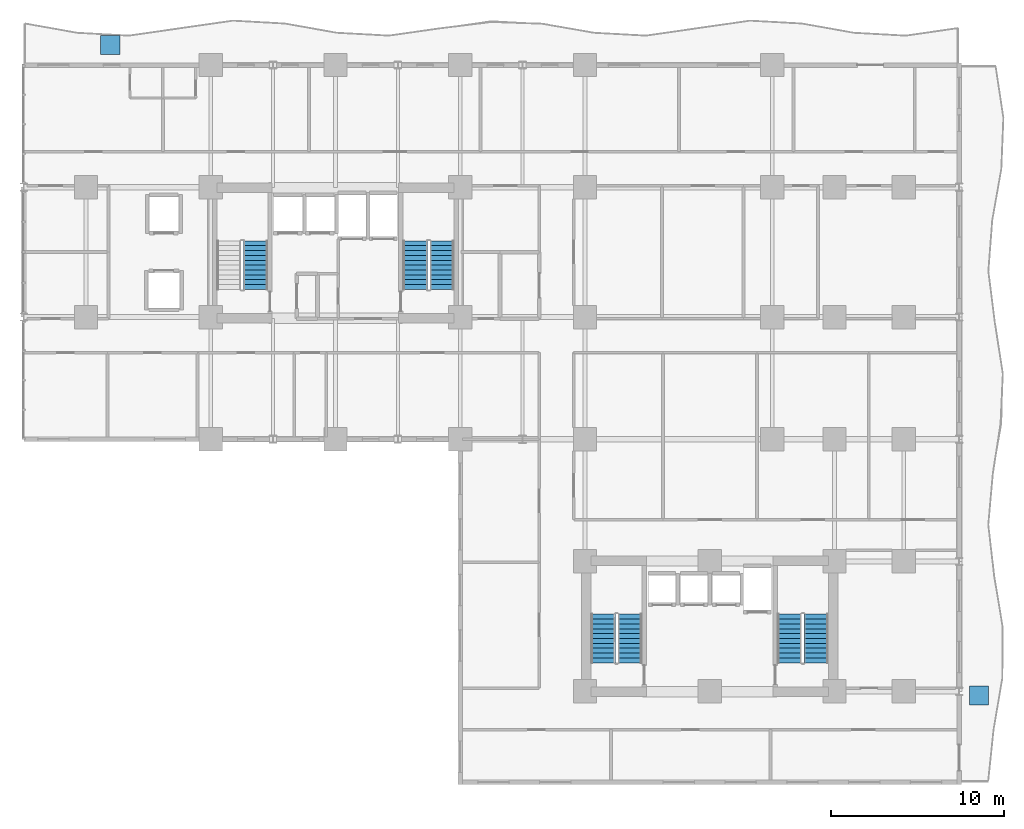
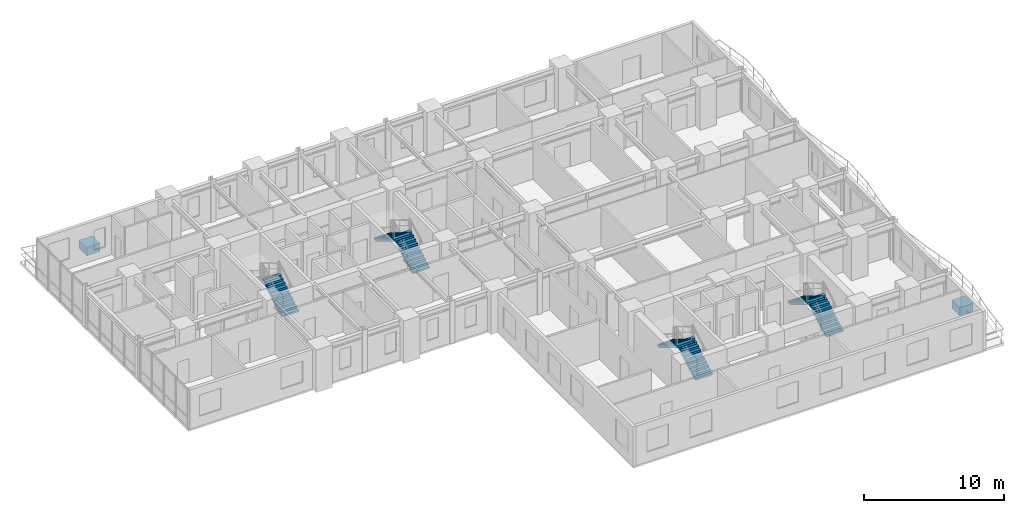
# One storey, part 16 of 19: 7 stair flights, 2 discrete accessories, 4 elements without a shape of their own.
"""IFC4 building model written with IfcOpenShell, lengths in metres."""

from ifc_helpers import new_model, si_unit, direction, frame, origin, origin_2d, place, context, subcontext, project, spatial, polyline, rectangle, outline, extrude, source, transform, mapped, material, type_object, element, aggregate, save


model = new_model("IFC4")

# Units and contexts
model_context = context("Model", 3, precision=1e-05, world=origin(), true_north=direction((0.0, 1.0)))
body_context = subcontext(model_context, "Body", "Model", "MODEL_VIEW")
ifc_project = project(units=[si_unit("LENGTHUNIT", "METRE"), si_unit("AREAUNIT", "SQUARE_METRE"), si_unit("VOLUMEUNIT", "CUBIC_METRE"), si_unit("PLANEANGLEUNIT", "RADIAN"), si_unit("MASSUNIT", "GRAM", prefix="KILO")], contexts=[model_context])

# Site, building, storey
site_placement = place(None, origin())
site = spatial("IfcSite", under=ifc_project, at=site_placement, CompositionType="ELEMENT")
building_placement = place(site_placement, origin())
building = spatial("IfcBuilding", under=site, at=building_placement, Name="Kaliganga Portal Commons", CompositionType="ELEMENT")
storey_placement = place(building_placement, frame((0.0, 0.0, 47.5)))
storey = spatial("IfcBuildingStorey", under=building, at=storey_placement, Name="L11", CompositionType="ELEMENT", Elevation=47.5)

# Stair, stair flight
ifc_material_1 = material(Name="Concrete C40/50", Category="concrete")
stair_type = type_object("IfcStairType", Name="ST-CORE-DOGLEG", PredefinedType="HALF_TURN_STAIR", material=ifc_material_1)
stair_1_placement = place(storey_placement, origin())
stair_1 = element("IfcStair", 1, at=stair_1_placement, inside=storey, type_object=stair_type, Name="L11 Protected Exit Stair ST-A1", PredefinedType="HALF_TURN_STAIR")
stair_flight_type = type_object("IfcStairFlightType", Name="STF-RC-1400", PredefinedType="STRAIGHT", material=ifc_material_1)
stair_flight_1_placement = place(storey_placement, frame((17.0, 30.25, 0.0), z_axis=(0.0, 0.0, 1.0), x_axis=(0.0, 1.0, 0.0)))
stair_flight_1 = element("IfcStairFlight", 2, at=stair_flight_1_placement, type_object=stair_flight_type, Name="ST-A1 flight 1", NumberOfRisers=11, NumberOfTreads=10, PredefinedType="STRAIGHT", RiserHeight=0.168181818, TreadLength=0.28, context=body_context, shape_type="SweptSolid", body=[
    extrude(outline(polyline([(0.0, 0.0), (0.0, 0.168212890625), (0.280029296875, 0.168212890625), (0.280029296875, 0.33642578125), (0.56005859375, 0.33642578125), (0.56005859375, 0.504638671875), (0.840087890625, 0.504638671875), (0.840087890625, 0.672607421875), (1.1201171875, 0.672607421875), (1.1201171875, 0.8408203125), (1.39990234375, 0.8408203125), (1.39990234375, 1.009033203125), (1.679931640625, 1.009033203125), (1.679931640625, 1.17724609375), (1.9599609375, 1.17724609375), (1.9599609375, 1.345458984375), (2.239990234375, 1.345458984375), (2.239990234375, 1.513671875), (2.52001953125, 1.513671875), (2.52001953125, 1.681884765625), (2.800048828125, 1.681884765625), (2.800048828125, 1.85009765625), (2.800048828125, 1.5068359375), (0.291015625, 0.0), (0.0, 0.0)])), frame((0.0, 0.699951171875, 0.0), z_axis=(0.0, -1.0, 0.0), x_axis=(1.0, 0.0, 0.0)), (0.0, 0.0, 1.0), 1.39990234375),
])
aggregate(stair_1, [stair_flight_1])

# Stair, stair flights
stair_2_placement = place(storey_placement, origin())
stair_2 = element("IfcStair", 3, at=stair_2_placement, inside=storey, type_object=stair_type, Name="L11 Protected Exit Stair ST-A2", PredefinedType="HALF_TURN_STAIR")
stair_flight_2_placement = place(storey_placement, frame((27.75, 30.25, 0.0), z_axis=(0.0, 0.0, 1.0), x_axis=(0.0, 1.0, 0.0)))
stair_flight_2 = element("IfcStairFlight", 4, at=stair_flight_2_placement, type_object=stair_flight_type, Name="ST-A2 flight 1", NumberOfRisers=11, NumberOfTreads=10, PredefinedType="STRAIGHT", RiserHeight=0.168181818, TreadLength=0.28, context=body_context, shape_type="SweptSolid", body=[
    extrude(outline(polyline([(0.0, 0.0), (0.0, 0.168212890625), (0.280029296875, 0.168212890625), (0.280029296875, 0.33642578125), (0.56005859375, 0.33642578125), (0.56005859375, 0.504638671875), (0.840087890625, 0.504638671875), (0.840087890625, 0.672607421875), (1.1201171875, 0.672607421875), (1.1201171875, 0.8408203125), (1.39990234375, 0.8408203125), (1.39990234375, 1.009033203125), (1.679931640625, 1.009033203125), (1.679931640625, 1.17724609375), (1.9599609375, 1.17724609375), (1.9599609375, 1.345458984375), (2.239990234375, 1.345458984375), (2.239990234375, 1.513671875), (2.52001953125, 1.513671875), (2.52001953125, 1.681884765625), (2.800048828125, 1.681884765625), (2.800048828125, 1.85009765625), (2.800048828125, 1.5068359375), (0.291015625, 0.0), (0.0, 0.0)])), frame((0.0, 0.699951171875, 0.0), z_axis=(0.0, -1.0, 0.0), x_axis=(1.0, 0.0, 0.0)), (0.0, 0.0, 1.0), 1.39990234375),
])
stair_flight_3_placement = place(storey_placement, frame((26.199951171875, 33.050048828125, 1.85009765625), z_axis=(0.0, 0.0, 1.0), x_axis=(0.0, -1.0, 0.0)))
stair_flight_3 = element("IfcStairFlight", 5, at=stair_flight_3_placement, type_object=stair_flight_type, Name="ST-A2 flight 2", NumberOfRisers=11, NumberOfTreads=10, PredefinedType="STRAIGHT", RiserHeight=0.168181818, TreadLength=0.28, context=body_context, shape_type="SweptSolid", body=[
    extrude(outline(polyline([(0.0, 0.0), (0.0, 0.168212890625), (0.280029296875, 0.168212890625), (0.280029296875, 0.33642578125), (0.56005859375, 0.33642578125), (0.56005859375, 0.504638671875), (0.840087890625, 0.504638671875), (0.840087890625, 0.672607421875), (1.1201171875, 0.672607421875), (1.1201171875, 0.8408203125), (1.39990234375, 0.8408203125), (1.39990234375, 1.009033203125), (1.679931640625, 1.009033203125), (1.679931640625, 1.17724609375), (1.9599609375, 1.17724609375), (1.9599609375, 1.345458984375), (2.239990234375, 1.345458984375), (2.239990234375, 1.513671875), (2.52001953125, 1.513671875), (2.52001953125, 1.681884765625), (2.800048828125, 1.681884765625), (2.800048828125, 1.85009765625), (2.800048828125, 1.5068359375), (0.291015625, 0.0), (0.0, 0.0)])), frame((0.0, 0.699951171875, 0.0), z_axis=(0.0, -1.0, 0.0), x_axis=(1.0, 0.0, 0.0)), (0.0, 0.0, 1.0), 1.39990234375),
])
aggregate(stair_2, [stair_flight_2, stair_flight_3])

stair_3_placement = place(storey_placement, origin())
stair_3 = element("IfcStair", 6, at=stair_3_placement, inside=storey, type_object=stair_type, Name="L11 Protected Exit Stair ST-B1", PredefinedType="HALF_TURN_STAIR")
stair_flight_4_placement = place(storey_placement, frame((38.60009765625, 8.699951171875, 0.0), z_axis=(0.0, 0.0, 1.0), x_axis=(0.0, 1.0, 0.0)))
stair_flight_4 = element("IfcStairFlight", 7, at=stair_flight_4_placement, type_object=stair_flight_type, Name="ST-B1 flight 1", NumberOfRisers=11, NumberOfTreads=10, PredefinedType="STRAIGHT", RiserHeight=0.168181818, TreadLength=0.28, context=body_context, shape_type="SweptSolid", body=[
    extrude(outline(polyline([(0.0, 0.0), (0.0, 0.168212890625), (0.280029296875, 0.168212890625), (0.280029296875, 0.33642578125), (0.56005859375, 0.33642578125), (0.56005859375, 0.504638671875), (0.840087890625, 0.504638671875), (0.840087890625, 0.672607421875), (1.1201171875, 0.672607421875), (1.1201171875, 0.8408203125), (1.39990234375, 0.8408203125), (1.39990234375, 1.009033203125), (1.679931640625, 1.009033203125), (1.679931640625, 1.17724609375), (1.9599609375, 1.17724609375), (1.9599609375, 1.345458984375), (2.239990234375, 1.345458984375), (2.239990234375, 1.513671875), (2.52001953125, 1.513671875), (2.52001953125, 1.681884765625), (2.800048828125, 1.681884765625), (2.800048828125, 1.85009765625), (2.800048828125, 1.5068359375), (0.291015625, 0.0), (0.0, 0.0)])), frame((0.0, 0.699951171875, 0.0), z_axis=(0.0, -1.0, 0.0), x_axis=(1.0, 0.0, 0.0)), (0.0, 0.0, 1.0), 1.39990234375),
])
stair_flight_5_placement = place(storey_placement, frame((37.050048828125, 11.5, 1.85009765625), z_axis=(0.0, 0.0, 1.0), x_axis=(0.0, -1.0, 0.0)))
stair_flight_5 = element("IfcStairFlight", 8, at=stair_flight_5_placement, type_object=stair_flight_type, Name="ST-B1 flight 2", NumberOfRisers=11, NumberOfTreads=10, PredefinedType="STRAIGHT", RiserHeight=0.168181818, TreadLength=0.28, context=body_context, shape_type="SweptSolid", body=[
    extrude(outline(polyline([(0.0, 0.0), (0.0, 0.168212890625), (0.280029296875, 0.168212890625), (0.280029296875, 0.33642578125), (0.56005859375, 0.33642578125), (0.56005859375, 0.504638671875), (0.840087890625, 0.504638671875), (0.840087890625, 0.672607421875), (1.1201171875, 0.672607421875), (1.1201171875, 0.8408203125), (1.39990234375, 0.8408203125), (1.39990234375, 1.009033203125), (1.679931640625, 1.009033203125), (1.679931640625, 1.17724609375), (1.9599609375, 1.17724609375), (1.9599609375, 1.345458984375), (2.239990234375, 1.345458984375), (2.239990234375, 1.513671875), (2.52001953125, 1.513671875), (2.52001953125, 1.681884765625), (2.800048828125, 1.681884765625), (2.800048828125, 1.85009765625), (2.800048828125, 1.5068359375), (0.291015625, 0.0), (0.0, 0.0)])), frame((0.0, 0.699951171875, 0.0), z_axis=(0.0, -1.0, 0.0), x_axis=(1.0, 0.0, 0.0)), (0.0, 0.0, 1.0), 1.39990234375),
])
aggregate(stair_3, [stair_flight_4, stair_flight_5])

stair_4_placement = place(storey_placement, origin())
stair_4 = element("IfcStair", 9, at=stair_4_placement, inside=storey, type_object=stair_type, Name="L11 Protected Exit Stair ST-B2", PredefinedType="HALF_TURN_STAIR")
stair_flight_6_placement = place(storey_placement, frame((49.35009765625, 8.699951171875, 0.0), z_axis=(0.0, 0.0, 1.0), x_axis=(0.0, 1.0, 0.0)))
stair_flight_6 = element("IfcStairFlight", 10, at=stair_flight_6_placement, type_object=stair_flight_type, Name="ST-B2 flight 1", NumberOfRisers=11, NumberOfTreads=10, PredefinedType="STRAIGHT", RiserHeight=0.168181818, TreadLength=0.28, context=body_context, shape_type="SweptSolid", body=[
    extrude(outline(polyline([(0.0, 0.0), (0.0, 0.168212890625), (0.280029296875, 0.168212890625), (0.280029296875, 0.33642578125), (0.56005859375, 0.33642578125), (0.56005859375, 0.504638671875), (0.840087890625, 0.504638671875), (0.840087890625, 0.672607421875), (1.1201171875, 0.672607421875), (1.1201171875, 0.8408203125), (1.39990234375, 0.8408203125), (1.39990234375, 1.009033203125), (1.679931640625, 1.009033203125), (1.679931640625, 1.17724609375), (1.9599609375, 1.17724609375), (1.9599609375, 1.345458984375), (2.239990234375, 1.345458984375), (2.239990234375, 1.513671875), (2.52001953125, 1.513671875), (2.52001953125, 1.681884765625), (2.800048828125, 1.681884765625), (2.800048828125, 1.85009765625), (2.800048828125, 1.5068359375), (0.291015625, 0.0), (0.0, 0.0)])), frame((0.0, 0.699951171875, 0.0), z_axis=(0.0, -1.0, 0.0), x_axis=(1.0, 0.0, 0.0)), (0.0, 0.0, 1.0), 1.39990234375),
])
stair_flight_7_placement = place(storey_placement, frame((47.800048828125, 11.5, 1.85009765625), z_axis=(0.0, 0.0, 1.0), x_axis=(0.0, -1.0, 0.0)))
stair_flight_7 = element("IfcStairFlight", 11, at=stair_flight_7_placement, type_object=stair_flight_type, Name="ST-B2 flight 2", NumberOfRisers=11, NumberOfTreads=10, PredefinedType="STRAIGHT", RiserHeight=0.168181818, TreadLength=0.28, context=body_context, shape_type="SweptSolid", body=[
    extrude(outline(polyline([(0.0, 0.0), (0.0, 0.168212890625), (0.280029296875, 0.168212890625), (0.280029296875, 0.33642578125), (0.56005859375, 0.33642578125), (0.56005859375, 0.504638671875), (0.840087890625, 0.504638671875), (0.840087890625, 0.672607421875), (1.1201171875, 0.672607421875), (1.1201171875, 0.8408203125), (1.39990234375, 0.8408203125), (1.39990234375, 1.009033203125), (1.679931640625, 1.009033203125), (1.679931640625, 1.17724609375), (1.9599609375, 1.17724609375), (1.9599609375, 1.345458984375), (2.239990234375, 1.345458984375), (2.239990234375, 1.513671875), (2.52001953125, 1.513671875), (2.52001953125, 1.681884765625), (2.800048828125, 1.681884765625), (2.800048828125, 1.85009765625), (2.800048828125, 1.5068359375), (0.291015625, 0.0), (0.0, 0.0)])), frame((0.0, 0.699951171875, 0.0), z_axis=(0.0, -1.0, 0.0), x_axis=(1.0, 0.0, 0.0)), (0.0, 0.0, 1.0), 1.39990234375),
])
aggregate(stair_4, [stair_flight_6, stair_flight_7])

# Discrete accessories
ifc_material_2 = material(Name="Precast concrete C40/50", Category="concrete")
discrete_accessory_type = type_object("IfcDiscreteAccessoryType", Name="DAC-PLANTER-RC", PredefinedType="USERDEFINED", material=ifc_material_2)
shared_shape = source(origin(), body_context, "Body", "SweptSolid", [
    extrude(rectangle(XDim=1.10009765625, YDim=1.10009765625, at=origin_2d()), origin(), (0.0, 0.0, 1.0), 0.719970703125),
])
for number, where, z_axis, x_axis, name in (
    (12, (8.60009765625, 44.35009765625, 0.0), (0.0, 0.0, 1.0), (1.0, 0.0, 0.0), "Structural Tree Planter L11 balc_north"),
    (13, (58.75, 6.800048828125, 0.0), (0.0, 0.0, 1.0), (1.0, 0.0, 0.0), "Structural Tree Planter L11 balc_east"),
):
    element("IfcDiscreteAccessory", number, at=place(storey_placement, frame(where, z_axis=z_axis, x_axis=x_axis)), inside=storey, type_object=discrete_accessory_type, Name=name, ObjectType="PLANTER", PredefinedType="USERDEFINED", context=body_context, shape_type="MappedRepresentation", body=[
        mapped(shared_shape, transform((0.0, 0.0, 0.0), x_axis=(1.0, 0.0, 0.0), y_axis=(0.0, 1.0, 0.0), z_axis=(0.0, 0.0, 1.0), scale=1.0)),
    ])

save(model, "model.ifc")
